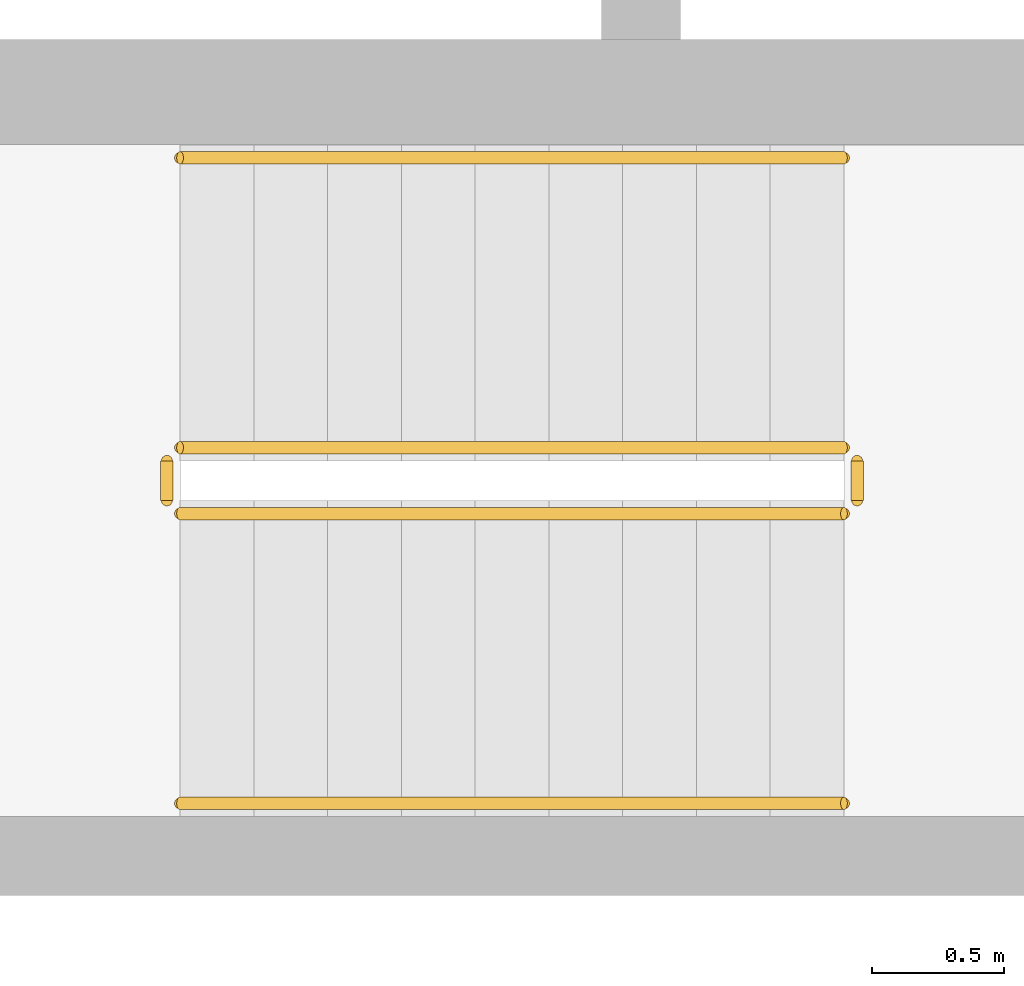
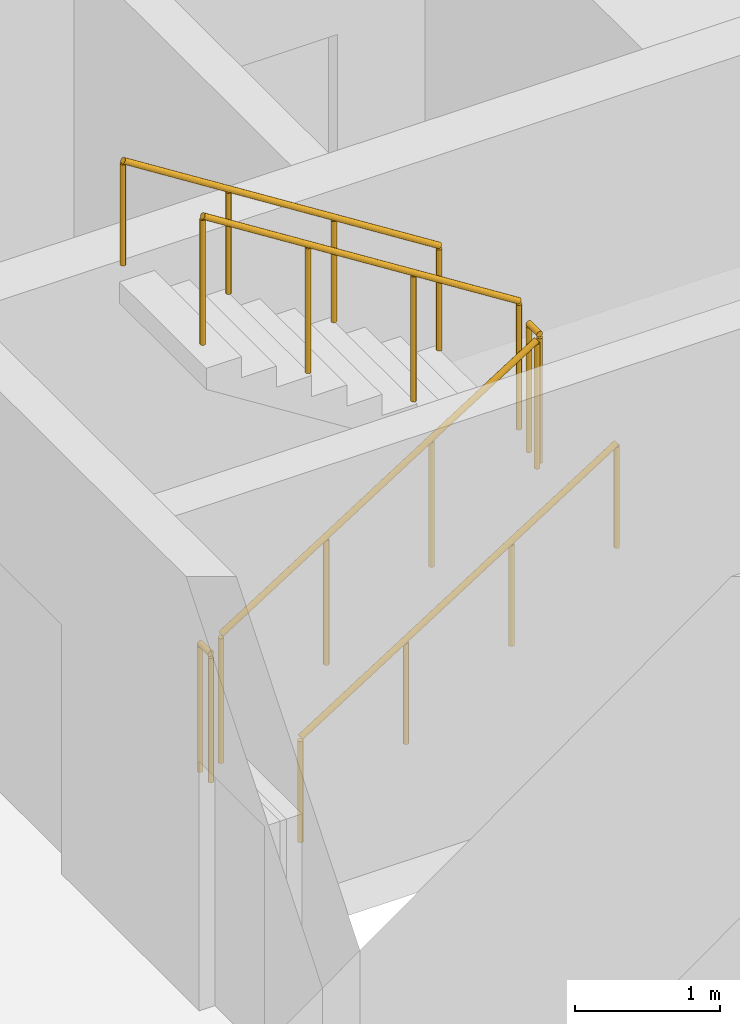
# One storey, part 16 of 19: 6 railings.
"""IFC4 building model written with IfcOpenShell, lengths in metres."""

from ifc_helpers import new_model, si_unit, direction, frame, origin, origin_2d, place, context, subcontext, project, spatial, circle, extrude, material, type_object, element, save


model = new_model("IFC4")

# Units and contexts
model_context = context("Model", 3, precision=1e-05, world=origin(), true_north=direction((0.0, 1.0)))
body_context = subcontext(model_context, "Body", "Model", "MODEL_VIEW")
ifc_project = project(units=[si_unit("LENGTHUNIT", "METRE"), si_unit("AREAUNIT", "SQUARE_METRE"), si_unit("VOLUMEUNIT", "CUBIC_METRE"), si_unit("PLANEANGLEUNIT", "RADIAN"), si_unit("MASSUNIT", "GRAM", prefix="KILO")], contexts=[model_context])

# Site, building, storey
site_placement = place(None, origin())
site = spatial("IfcSite", under=ifc_project, at=site_placement, CompositionType="ELEMENT")
building_placement = place(site_placement, origin())
building = spatial("IfcBuilding", under=site, at=building_placement, Name="Ostrand Prow Hotel Tower", CompositionType="ELEMENT")
storey_placement = place(building_placement, frame((0.0, 0.0, 60.89990234375)))
storey = spatial("IfcBuildingStorey", under=building, at=storey_placement, Name="L13", CompositionType="ELEMENT", Elevation=60.89990234375)

# Railings
ifc_material_1 = material(Name="Painted steel", Category="steel")
railing_type_1 = type_object("IfcRailingType", Name="Stair guard 1100", PredefinedType="GUARDRAIL", material=ifc_material_1)
railing_1_placement = place(storey_placement, frame((57.199951171875, -11.75, 0.177490234375)))
element("IfcRailing", 1, at=railing_1_placement, inside=storey, type_object=railing_type_1, Name="L13 ST2C stair guard 1", PredefinedType="GUARDRAIL", context=body_context, shape_type="SweptSolid", body=[
    extrude(circle(Radius=0.02392578125, at=origin_2d()), frame((0.0, 0.0, 1.076171875), z_axis=(0.84456994832, 0.0, 0.535445237532), x_axis=(0.0, 1.0, 0.0)), (0.0, 0.0, 1.0), 2.98388671875),
    extrude(circle(Radius=0.02099609375, at=origin_2d()), origin(), (0.0, 0.0, 1.0), 1.052001953125),
    extrude(circle(Radius=0.02099609375, at=origin_2d()), frame((0.840087890625, 0.0, 0.532470703125)), (0.0, 0.0, 1.0), 1.052001953125),
    extrude(circle(Radius=0.02099609375, at=origin_2d()), frame((1.679931640625, 0.0, 1.065185546875)), (0.0, 0.0, 1.0), 1.052001953125),
    extrude(circle(Radius=0.02099609375, at=origin_2d()), frame((2.52001953125, 0.0, 1.59765625)), (0.0, 0.0, 1.0), 1.052001953125),
])
railing_2_placement = place(storey_placement, frame((59.77001953125, -11.699951171875, 1.775146484375)))
element("IfcRailing", 2, at=railing_2_placement, inside=storey, type_object=railing_type_1, Name="L13 ST2C stair guard 2", PredefinedType="GUARDRAIL", context=body_context, shape_type="SweptSolid", body=[
    extrude(circle(Radius=0.02392578125, at=origin_2d()), frame((0.0, 0.0, 1.076171875), z_axis=(0.0, 1.0, 0.0), x_axis=(-1.0, 0.0, 0.0)), (0.0, 0.0, 1.0), 0.14990234375),
    extrude(circle(Radius=0.02099609375, at=origin_2d()), origin(), (0.0, 0.0, 1.0), 1.052001953125),
    extrude(circle(Radius=0.02099609375, at=origin_2d()), frame((0.0, 0.14990234375, 0.0)), (0.0, 0.0, 1.0), 1.052001953125),
])
railing_3_placement = place(storey_placement, frame((59.719970703125, -11.5, 1.95263671875)))
element("IfcRailing", 3, at=railing_3_placement, inside=storey, type_object=railing_type_1, Name="L13 ST2C stair guard 3", PredefinedType="GUARDRAIL", context=body_context, shape_type="SweptSolid", body=[
    extrude(circle(Radius=0.02392578125, at=origin_2d()), frame((0.0, 0.0, 1.076171875), z_axis=(-0.84460694969, 0.0, 0.535386869969), x_axis=(0.0, -1.0, 0.0)), (0.0, 0.0, 1.0), 2.983642578125),
    extrude(circle(Radius=0.02099609375, at=origin_2d()), origin(), (0.0, 0.0, 1.0), 1.052001953125),
    extrude(circle(Radius=0.02099609375, at=origin_2d()), frame((-0.840087890625, 0.0, 0.532470703125)), (0.0, 0.0, 1.0), 1.052001953125),
    extrude(circle(Radius=0.02099609375, at=origin_2d()), frame((-1.679931640625, 0.0, 1.06494140625)), (0.0, 0.0, 1.0), 1.052001953125),
    extrude(circle(Radius=0.02099609375, at=origin_2d()), frame((-2.52001953125, 0.0, 1.597412109375)), (0.0, 0.0, 1.0), 1.052001953125),
])
railing_4_placement = place(storey_placement, frame((57.14990234375, -11.699951171875, 0.0)))
element("IfcRailing", 4, at=railing_4_placement, inside=storey, type_object=railing_type_1, Name="L13 ST2C stair guard 4", PredefinedType="GUARDRAIL", context=body_context, shape_type="SweptSolid", body=[
    extrude(circle(Radius=0.02392578125, at=origin_2d()), frame((0.0, 0.0, 1.076171875), z_axis=(0.0, 1.0, 0.0), x_axis=(-1.0, 0.0, 0.0)), (0.0, 0.0, 1.0), 0.14990234375),
    extrude(circle(Radius=0.02099609375, at=origin_2d()), origin(), (0.0, 0.0, 1.0), 1.052001953125),
    extrude(circle(Radius=0.02099609375, at=origin_2d()), frame((0.0, 0.14990234375, 0.0)), (0.0, 0.0, 1.0), 1.052001953125),
])
ifc_material_2 = material(Name="Stainless steel", Category="steel")
railing_type_2 = type_object("IfcRailingType", Name="Stair handrail 900", PredefinedType="HANDRAIL", material=ifc_material_2)
railing_5_placement = place(storey_placement, frame((57.199951171875, -12.85009765625, 0.177490234375)))
element("IfcRailing", 5, at=railing_5_placement, inside=storey, type_object=railing_type_2, Name="L13 ST2C stair handrail 1", PredefinedType="HANDRAIL", context=body_context, shape_type="SweptSolid", body=[
    extrude(circle(Radius=0.02392578125, at=origin_2d()), frame((0.0, 0.0, 0.8759765625), z_axis=(0.84456994832, 0.0, 0.535445237532), x_axis=(0.0, 1.0, 0.0)), (0.0, 0.0, 1.0), 2.98388671875),
    extrude(circle(Radius=0.02099609375, at=origin_2d()), origin(), (0.0, 0.0, 1.0), 0.851806640625),
    extrude(circle(Radius=0.02099609375, at=origin_2d()), frame((0.840087890625, 0.0, 0.532470703125)), (0.0, 0.0, 1.0), 0.851806640625),
    extrude(circle(Radius=0.02099609375, at=origin_2d()), frame((1.679931640625, 0.0, 1.065185546875)), (0.0, 0.0, 1.0), 0.851806640625),
    extrude(circle(Radius=0.02099609375, at=origin_2d()), frame((2.52001953125, 0.0, 1.59765625)), (0.0, 0.0, 1.0), 0.851806640625),
])
railing_6_placement = place(storey_placement, frame((59.719970703125, -10.39990234375, 1.95263671875)))
element("IfcRailing", 6, at=railing_6_placement, inside=storey, type_object=railing_type_2, Name="L13 ST2C stair handrail 2", PredefinedType="HANDRAIL", context=body_context, shape_type="SweptSolid", body=[
    extrude(circle(Radius=0.02392578125, at=origin_2d()), frame((0.0, 0.0, 0.8759765625), z_axis=(-0.84460694969, 0.0, 0.535386869969), x_axis=(0.0, -1.0, 0.0)), (0.0, 0.0, 1.0), 2.983642578125),
    extrude(circle(Radius=0.02099609375, at=origin_2d()), origin(), (0.0, 0.0, 1.0), 0.851806640625),
    extrude(circle(Radius=0.02099609375, at=origin_2d()), frame((-0.840087890625, 0.0, 0.532470703125)), (0.0, 0.0, 1.0), 0.851806640625),
    extrude(circle(Radius=0.02099609375, at=origin_2d()), frame((-1.679931640625, 0.0, 1.06494140625)), (0.0, 0.0, 1.0), 0.851806640625),
    extrude(circle(Radius=0.02099609375, at=origin_2d()), frame((-2.52001953125, 0.0, 1.597412109375)), (0.0, 0.0, 1.0), 0.851806640625),
])

save(model, "model.ifc")
